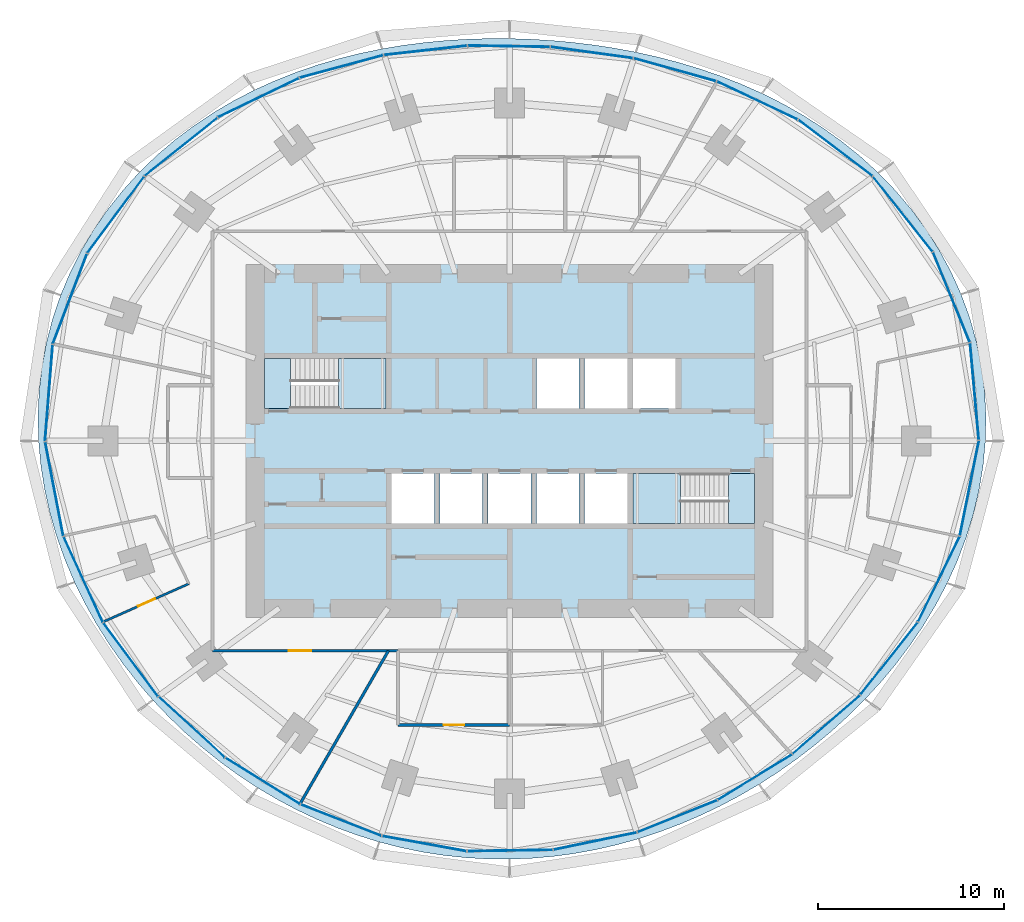
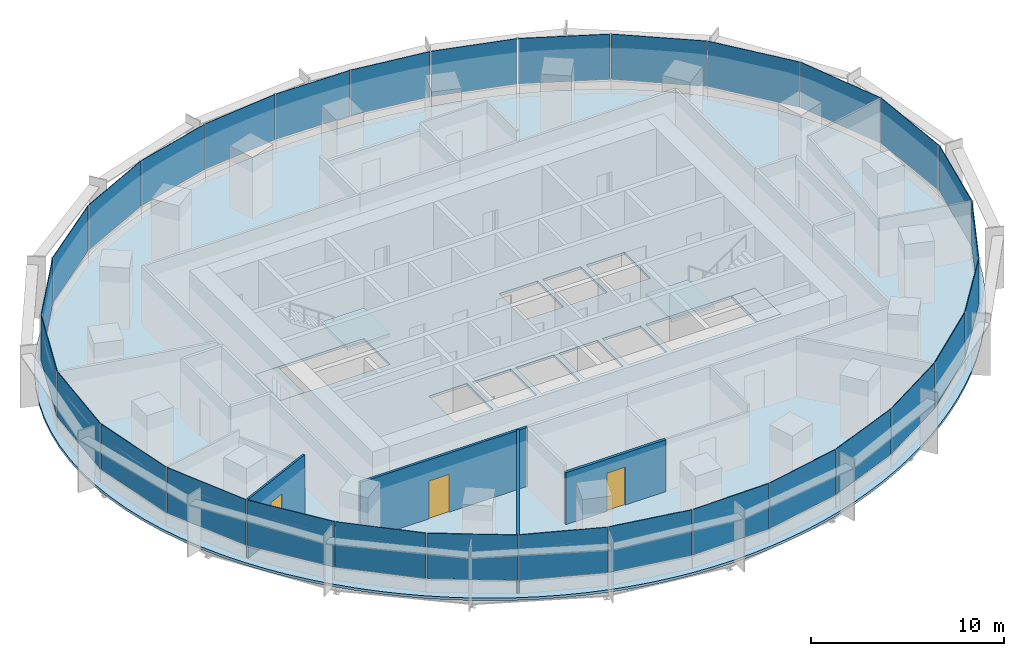
# One storey, part 9 of 14: 30 plates, 5 slabs, 4 walls, 3 doors, 3 openings, 8 elements without a shape of their own.
"""IFC4 building model written with IfcOpenShell, lengths in metres."""

from ifc_helpers import new_model, si_unit, direction, frame, frame_2d, origin, origin_2d, place, context, subcontext, project, spatial, polyline, rectangle, outline, extrude, material, layer, layer_set, type_object, element, fill, aggregate, save


model = new_model("IFC4")

# Units and contexts
model_context = context("Model", 3, precision=1e-05, world=origin(), true_north=direction((0.0, 1.0)))
body_context = subcontext(model_context, "Body", "Model", "MODEL_VIEW")
ifc_project = project(units=[si_unit("LENGTHUNIT", "METRE"), si_unit("AREAUNIT", "SQUARE_METRE"), si_unit("VOLUMEUNIT", "CUBIC_METRE"), si_unit("PLANEANGLEUNIT", "RADIAN"), si_unit("MASSUNIT", "GRAM", prefix="KILO")], contexts=[model_context])

# Site, building, storey
site_placement = place(None, origin())
site = spatial("IfcSite", under=ifc_project, at=site_placement, CompositionType="ELEMENT")
building_placement = place(site_placement, origin())
building = spatial("IfcBuilding", under=site, at=building_placement, Name="Marramba Exchange Tower", CompositionType="ELEMENT")
storey_placement = place(building_placement, frame((0.0, 0.0, 119.699951171875)))
storey = spatial("IfcBuildingStorey", under=building, at=storey_placement, Name="L28", CompositionType="ELEMENT", Elevation=119.699951171875)

# Slab
ifc_material_1 = material(Name="Concrete N40", Category="concrete")
ifc_layer_1 = layer(ifc_material_1, 0.159912109375)
ifc_layer_set_1 = layer_set([ifc_layer_1], Name="Composite floor slab 160")
slab_type_1 = type_object("IfcSlabType", Name="Composite floor slab 160", PredefinedType="FLOOR", material=ifc_layer_set_1)
slab_1_placement = place(storey_placement, frame((0.0, 0.0, -0.159912109375)))
element("IfcSlab", 1, at=slab_1_placement, inside=storey, type_object=slab_type_1, Name="Floor slab L28", PredefinedType="FLOOR", context=body_context, shape_type="SweptSolid", body=[
    extrude(outline(polyline([(25.632080078125, 0.0), (25.66064453125, 1.3447265625), (25.59033203125, 2.689697265625), (25.420166015625, 4.026123046875), (25.15087890625, 5.345947265625), (24.7841796875, 6.640869140625), (24.322998046875, 7.903076171875), (23.771484375, 9.125), (23.135009765625, 10.30029296875), (22.419677734375, 11.42333984375), (21.632080078125, 12.4892578125), (20.779541015625, 13.494384765625), (19.869384765625, 14.43603515625), (18.9091796875, 15.3125), (17.90625, 16.122802734375), (16.86767578125, 16.86767578125), (15.800048828125, 17.5478515625), (14.70947265625, 18.164794921875), (13.6015625, 18.720947265625), (12.48095703125, 19.218994140625), (11.3515625, 19.66162109375), (10.217041015625, 20.05224609375), (9.079833984375, 20.393798828125), (7.94189453125, 20.689453125), (6.804443359375, 20.942138671875), (5.668212890625, 21.154296875), (4.533447265625, 21.328369140625), (3.39990234375, 21.46630859375), (2.26708984375, 21.5693359375), (1.134033203125, 21.63818359375), (0.0, 21.673095703125), (-1.135986328125, 21.673828125), (-2.2744140625, 21.6396484375), (-3.416259765625, 21.5693359375), (-4.5615234375, 21.460693359375), (-5.71044921875, 21.31201171875), (-6.8623046875, 21.1201171875), (-8.01611328125, 20.8828125), (-9.170166015625, 20.5966796875), (-10.322509765625, 20.2587890625), (-11.4697265625, 19.8662109375), (-12.60888671875, 19.415771484375), (-13.7353515625, 18.905029296875), (-14.8447265625, 18.331787109375), (-15.931640625, 17.69384765625), (-16.989990234375, 16.989990234375), (-18.013916015625, 16.2197265625), (-18.996826171875, 15.38330078125), (-19.931884765625, 14.4814453125), (-20.8125, 13.515869140625), (-21.632080078125, 12.4892578125), (-22.384033203125, 11.4052734375), (-23.0625, 10.26806640625), (-23.661865234375, 9.0830078125), (-24.177734375, 7.855712890625), (-24.605712890625, 6.593017578125), (-24.943603515625, 5.302001953125), (-25.18896484375, 3.989501953125), (-25.341064453125, 2.663330078125), (-25.400390625, 1.3310546875), (-25.367919921875, 0.0), (-25.246337890625, -1.322998046875), (-25.038818359375, -2.631591796875), (-24.748779296875, -3.919921875), (-24.381103515625, -5.182373046875), (-23.940185546875, -6.414794921875), (-23.431396484375, -7.61328125), (-22.859130859375, -8.77490234375), (-22.22900390625, -9.89697265625), (-21.545166015625, -10.977783203125), (-20.81201171875, -12.015869140625), (-20.033935546875, -13.010009765625), (-19.2138671875, -13.959716796875), (-18.35546875, -14.86376953125), (-17.461181640625, -15.72216796875), (-16.53369140625, -16.53369140625), (-15.5751953125, -17.298095703125), (-14.587646484375, -18.014404296875), (-13.5732421875, -18.681884765625), (-12.533203125, -19.299560546875), (-11.4697265625, -19.8662109375), (-10.384765625, -20.381103515625), (-9.27978515625, -20.8427734375), (-8.157470703125, -21.250732421875), (-7.019287109375, -21.603271484375), (-5.8681640625, -21.900146484375), (-4.7060546875, -22.14013671875), (-3.53564453125, -22.322998046875), (-2.359375, -22.448486328125), (-1.179931640625, -22.516357421875), (0.0, -22.52685546875), (1.17822265625, -22.480712890625), (2.35205078125, -22.3779296875), (3.519287109375, -22.22021484375), (4.677978515625, -22.0078125), (5.825927734375, -21.742431640625), (6.96142578125, -21.425048828125), (8.0830078125, -21.05712890625), (9.189453125, -20.639892578125), (10.279296875, -20.17431640625), (11.3515625, -19.66162109375), (12.4052734375, -19.1025390625), (13.439453125, -18.497802734375), (14.45263671875, -17.847412109375), (15.44384765625, -17.152099609375), (16.411376953125, -16.411376953125), (17.353515625, -15.625244140625), (18.267822265625, -14.79296875), (19.1513671875, -13.914306640625), (20.000732421875, -12.98876953125), (20.81201171875, -12.015869140625), (21.580810546875, -10.995849609375), (22.301513671875, -9.92919921875), (22.96875, -8.81689453125), (23.57666015625, -7.660400390625), (24.11865234375, -6.462646484375), (24.588623046875, -5.2265625), (24.980224609375, -3.95654296875), (25.2880859375, -2.657958984375), (25.5068359375, -1.336669921875), (25.632080078125, 0.0)]), holes=[polyline([(1.449951171875, 1.75), (3.75, 1.75), (3.75, 4.449951171875), (1.449951171875, 4.449951171875), (1.449951171875, 1.75)]), polyline([(4.050048828125, 1.75), (6.35009765625, 1.75), (6.35009765625, 4.449951171875), (4.050048828125, 4.449951171875), (4.050048828125, 1.75)]), polyline([(-6.35009765625, -4.449951171875), (-4.050048828125, -4.449951171875), (-4.050048828125, -1.75), (-6.35009765625, -1.75), (-6.35009765625, -4.449951171875)]), polyline([(-3.75, -4.449951171875), (-1.449951171875, -4.449951171875), (-1.449951171875, -1.75), (-3.75, -1.75), (-3.75, -4.449951171875)]), polyline([(-1.14990234375, -4.449951171875), (1.14990234375, -4.449951171875), (1.14990234375, -1.75), (-1.14990234375, -1.75), (-1.14990234375, -4.449951171875)]), polyline([(1.449951171875, -4.449951171875), (3.75, -4.449951171875), (3.75, -1.75), (1.449951171875, -1.75), (1.449951171875, -4.449951171875)]), polyline([(4.050048828125, -4.449951171875), (6.35009765625, -4.449951171875), (6.35009765625, -1.75), (4.050048828125, -1.75), (4.050048828125, -4.449951171875)]), polyline([(6.64990234375, 1.75), (8.949951171875, 1.75), (8.949951171875, 4.449951171875), (6.64990234375, 4.449951171875), (6.64990234375, 1.75)]), polyline([(-13.199951171875, 1.75), (-6.64990234375, 1.75), (-6.64990234375, 4.449951171875), (-13.199951171875, 4.449951171875), (-13.199951171875, 1.75)]), polyline([(6.64990234375, -4.449951171875), (13.199951171875, -4.449951171875), (13.199951171875, -1.75), (6.64990234375, -1.75), (6.64990234375, -4.449951171875)])]), origin(), (0.0, 0.0, 1.0), 0.159912109375),
])

# Curtain wall, plates
ifc_material_2 = material(Name="Aluminium framing, bronze anodised", Category="aluminium")
curtain_wall_type = type_object("IfcCurtainWallType", Name="Office ribbon curtain wall", PredefinedType="USERDEFINED", material=ifc_material_2)
curtain_wall_1_placement = place(storey_placement, origin())
curtain_wall_1 = element("IfcCurtainWall", 2, at=curtain_wall_1_placement, inside=storey, type_object=curtain_wall_type, Name="Curtain wall CW4 L28 F01-F05", ObjectType="RIBBON CURTAIN WALL", PredefinedType="USERDEFINED")
ifc_material_3 = material(Name="Laminated double glazed unit 10.76 + 16 + 10.76, bronze tinted", Category="glass")
ifc_layer_2 = layer(ifc_material_3, 0.03759765625)
ifc_layer_set_2 = layer_set([ifc_layer_2], Name="Office ribbon curtain wall panel")
plate_type = type_object("IfcPlateType", Name="Office ribbon curtain wall panel", PredefinedType="CURTAIN_PANEL", material=ifc_layer_set_2)
plate_1_placement = place(storey_placement, frame((25.042724609375, 2.66650390625, 0.860107421875), z_axis=(0.0, 0.0, 1.0), x_axis=(-0.089412887889, 0.995994646311, 0.0)))
plate_1 = element("IfcPlate", 3, at=plate_1_placement, type_object=plate_type, Name="CW4 vision panel", PredefinedType="CURTAIN_PANEL", context=body_context, shape_type="SweptSolid", body=[
    extrude(rectangle(XDim=5.234375, YDim=0.03759765625, at=origin_2d()), origin(), (0.0, 0.0, 1.0), 2.8798828125),
])
plate_2_placement = place(storey_placement, frame((23.800537109375, 7.743408203125, 0.860107421875), z_axis=(0.0, 0.0, 1.0), x_axis=(-0.377821183171, 0.925878584668, 0.0)))
plate_2 = element("IfcPlate", 4, at=plate_2_placement, type_object=plate_type, Name="CW4 vision panel", PredefinedType="CURTAIN_PANEL", context=body_context, shape_type="SweptSolid", body=[
    extrude(rectangle(XDim=5.2158203125, YDim=0.03759765625, at=origin_2d()), origin(), (0.0, 0.0, 1.0), 2.8798828125),
])
plate_3_placement = place(storey_placement, frame((21.18212890625, 12.217529296875, 0.860107421875), z_axis=(0.0, 0.0, 1.0), x_axis=(-0.621312004611, 0.783563266703, 0.0)))
plate_3 = element("IfcPlate", 5, at=plate_3_placement, type_object=plate_type, Name="CW4 vision panel", PredefinedType="CURTAIN_PANEL", context=body_context, shape_type="SweptSolid", body=[
    extrude(rectangle(XDim=5.136962890625, YDim=0.03759765625, at=origin_2d()), origin(), (0.0, 0.0, 1.0), 2.8798828125),
])
plate_4_placement = place(storey_placement, frame((17.55224609375, 15.777099609375, 0.860107421875), z_axis=(0.0, 0.0, 1.0), x_axis=(-0.795971748366, 0.60533377223, 0.0)))
plate_4 = element("IfcPlate", 6, at=plate_4_placement, type_object=plate_type, Name="CW4 vision panel", PredefinedType="CURTAIN_PANEL", context=body_context, shape_type="SweptSolid", body=[
    extrude(rectangle(XDim=4.990966796875, YDim=0.03759765625, at=origin_2d()), origin(), (0.0, 0.0, 1.0), 2.8798828125),
])
plate_5_placement = place(storey_placement, frame((13.34423828125, 18.3359375, 0.860107421875), z_axis=(0.0, 0.0, 1.0), x_axis=(-0.904403137485, 0.426678995157, 0.0)))
plate_5 = element("IfcPlate", 7, at=plate_5_placement, type_object=plate_type, Name="CW4 vision panel", PredefinedType="CURTAIN_PANEL", context=body_context, shape_type="SweptSolid", body=[
    extrude(rectangle(XDim=4.793212890625, YDim=0.03759765625, at=origin_2d()), origin(), (0.0, 0.0, 1.0), 2.8798828125),
])
aggregate(curtain_wall_1, [plate_1, plate_2, plate_3, plate_4, plate_5])

curtain_wall_2_placement = place(storey_placement, origin())
curtain_wall_2 = element("IfcCurtainWall", 8, at=curtain_wall_2_placement, inside=storey, type_object=curtain_wall_type, Name="Curtain wall CW4 L28 F06-F10", ObjectType="RIBBON CURTAIN WALL", PredefinedType="USERDEFINED")
plate_6_placement = place(storey_placement, frame((8.907470703125, 19.991943359375, 0.860107421875), z_axis=(0.0, 0.0, 1.0), x_axis=(-0.963177845956, 0.268865090816, 0.0)))
plate_6 = element("IfcPlate", 9, at=plate_6_placement, type_object=plate_type, Name="CW4 vision panel", PredefinedType="CURTAIN_PANEL", context=body_context, shape_type="SweptSolid", body=[
    extrude(rectangle(XDim=4.591552734375, YDim=0.03759765625, at=origin_2d()), origin(), (0.0, 0.0, 1.0), 2.8798828125),
])
plate_7_placement = place(storey_placement, frame((4.43359375, 20.919189453125, 0.860107421875), z_axis=(0.0, 0.0, 1.0), x_axis=(-0.990738212841, 0.135785837319, 0.0)))
plate_7 = element("IfcPlate", 10, at=plate_7_placement, type_object=plate_type, Name="CW4 vision panel", PredefinedType="CURTAIN_PANEL", context=body_context, shape_type="SweptSolid", body=[
    extrude(rectangle(XDim=4.447509765625, YDim=0.03759765625, at=origin_2d()), origin(), (0.0, 0.0, 1.0), 2.8798828125),
])
plate_8_placement = place(storey_placement, frame((-0.03369140625, 21.2568359375, 0.860107421875), z_axis=(0.0, 0.0, 1.0), x_axis=(-0.999875869968, 0.01575578169, 0.0)))
plate_8 = element("IfcPlate", 11, at=plate_8_placement, type_object=plate_type, Name="CW4 vision panel", PredefinedType="CURTAIN_PANEL", context=body_context, shape_type="SweptSolid", body=[
    extrude(rectangle(XDim=4.408935546875, YDim=0.03759765625, at=origin_2d()), origin(), (0.0, 0.0, 1.0), 2.8798828125),
])
plate_9_placement = place(storey_placement, frame((-4.52587890625, 21.0361328125, 0.860107421875), z_axis=(0.0, 0.0, 1.0), x_axis=(-0.993823395532, -0.110973233233, 0.0)))
plate_9 = element("IfcPlate", 12, at=plate_9_placement, type_object=plate_type, Name="CW4 vision panel", PredefinedType="CURTAIN_PANEL", context=body_context, shape_type="SweptSolid", body=[
    extrude(rectangle(XDim=4.484375, YDim=0.03759765625, at=origin_2d()), origin(), (0.0, 0.0, 1.0), 2.8798828125),
])
plate_10_placement = place(storey_placement, frame((-9.053466796875, 20.16748046875, 0.860107421875), z_axis=(0.0, 0.0, 1.0), x_axis=(-0.965522047176, -0.260321294588, 0.0)))
plate_10 = element("IfcPlate", 13, at=plate_10_placement, type_object=plate_type, Name="CW4 vision panel", PredefinedType="CURTAIN_PANEL", context=body_context, shape_type="SweptSolid", body=[
    extrude(rectangle(XDim=4.642578125, YDim=0.03759765625, at=origin_2d()), origin(), (0.0, 0.0, 1.0), 2.8798828125),
])
aggregate(curtain_wall_2, [plate_6, plate_7, plate_8, plate_9, plate_10])

curtain_wall_3_placement = place(storey_placement, origin())
curtain_wall_3 = element("IfcCurtainWall", 14, at=curtain_wall_3_placement, inside=storey, type_object=curtain_wall_type, Name="Curtain wall CW4 L28 F11-F15", ObjectType="RIBBON CURTAIN WALL", PredefinedType="USERDEFINED")
plate_11_placement = place(storey_placement, frame((-13.52294921875, 18.4853515625, 0.860107421875), z_axis=(0.0, 0.0, 1.0), x_axis=(-0.900223739881, -0.435427626771, 0.0)))
plate_11 = element("IfcPlate", 15, at=plate_11_placement, type_object=plate_type, Name="CW4 vision panel", PredefinedType="CURTAIN_PANEL", context=body_context, shape_type="SweptSolid", body=[
    extrude(rectangle(XDim=4.83056640625, YDim=0.03759765625, at=origin_2d()), origin(), (0.0, 0.0, 1.0), 2.8798828125),
])
plate_12_placement = place(storey_placement, frame((-17.696533203125, 15.8359375, 0.860107421875), z_axis=(0.0, 0.0, 1.0), x_axis=(-0.78117833008, -0.624307950145, 0.0)))
plate_12 = element("IfcPlate", 16, at=plate_12_placement, type_object=plate_type, Name="CW4 vision panel", PredefinedType="CURTAIN_PANEL", context=body_context, shape_type="SweptSolid", body=[
    extrude(rectangle(XDim=4.998291015625, YDim=0.03759765625, at=origin_2d()), origin(), (0.0, 0.0, 1.0), 2.8798828125),
])
plate_13_placement = place(storey_placement, frame((-21.213623046875, 12.1767578125, 0.860107421875), z_axis=(0.0, 0.0, 1.0), x_axis=(-0.597703997504, -0.80171686484, 0.0)))
plate_13 = element("IfcPlate", 17, at=plate_13_placement, type_object=plate_type, Name="CW4 vision panel", PredefinedType="CURTAIN_PANEL", context=body_context, shape_type="SweptSolid", body=[
    extrude(rectangle(XDim=5.116455078125, YDim=0.03759765625, at=origin_2d()), origin(), (0.0, 0.0, 1.0), 2.8798828125),
])
plate_14_placement = place(storey_placement, frame((-23.6826171875, 7.6494140625, 0.860107421875), z_axis=(0.0, 0.0, 1.0), x_axis=(-0.354844468484, -0.934925346317, 0.0)))
plate_14 = element("IfcPlate", 18, at=plate_14_placement, type_object=plate_type, Name="CW4 vision panel", PredefinedType="CURTAIN_PANEL", context=body_context, shape_type="SweptSolid", body=[
    extrude(rectangle(XDim=5.177490234375, YDim=0.03759765625, at=origin_2d()), origin(), (0.0, 0.0, 1.0), 2.8798828125),
])
plate_15_placement = place(storey_placement, frame((-24.81201171875, 2.584716796875, 0.860107421875), z_axis=(0.0, 0.0, 1.0), x_axis=(-0.079459696383, -0.996838079455, 0.0)))
plate_15 = element("IfcPlate", 19, at=plate_15_placement, type_object=plate_type, Name="CW4 vision panel", PredefinedType="CURTAIN_PANEL", context=body_context, shape_type="SweptSolid", body=[
    extrude(rectangle(XDim=5.185791015625, YDim=0.03759765625, at=origin_2d()), origin(), (0.0, 0.0, 1.0), 2.8798828125),
])
aggregate(curtain_wall_3, [plate_11, plate_12, plate_13, plate_14, plate_15])

curtain_wall_4_placement = place(storey_placement, origin())
curtain_wall_4 = element("IfcCurtainWall", 20, at=curtain_wall_4_placement, inside=storey, type_object=curtain_wall_type, Name="Curtain wall CW4 L28 F16-F20", ObjectType="RIBBON CURTAIN WALL", PredefinedType="USERDEFINED")
plate_16_placement = place(storey_placement, frame((-24.522705078125, -2.584228515625, 0.860107421875), z_axis=(0.0, 0.0, 1.0), x_axis=(0.18822721487, -0.982125509078, 0.0)))
plate_16 = element("IfcPlate", 21, at=plate_16_placement, type_object=plate_type, Name="CW4 vision panel", PredefinedType="CURTAIN_PANEL", context=body_context, shape_type="SweptSolid", body=[
    extrude(rectangle(XDim=5.142578125, YDim=0.03759765625, at=origin_2d()), origin(), (0.0, 0.0, 1.0), 2.8798828125),
])
plate_17_placement = place(storey_placement, frame((-22.96142578125, -7.45947265625, 0.860107421875), z_axis=(0.0, 0.0, 1.0), x_axis=(0.416737848929, -0.909026713177, 0.0)))
plate_17 = element("IfcPlate", 22, at=plate_17_placement, type_object=plate_type, Name="CW4 vision panel", PredefinedType="CURTAIN_PANEL", context=body_context, shape_type="SweptSolid", body=[
    extrude(rectangle(XDim=5.0498046875, YDim=0.03759765625, at=origin_2d()), origin(), (0.0, 0.0, 1.0), 2.8798828125),
])
plate_18_placement = place(storey_placement, frame((-20.402099609375, -11.7783203125, 0.860107421875), z_axis=(0.0, 0.0, 1.0), x_axis=(0.597304697033, -0.802014400683, 0.0)))
plate_18 = element("IfcPlate", 23, at=plate_18_placement, type_object=plate_type, Name="CW4 vision panel", PredefinedType="CURTAIN_PANEL", context=body_context, shape_type="SweptSolid", body=[
    extrude(rectangle(XDim=4.926513671875, YDim=0.03759765625, at=origin_2d()), origin(), (0.0, 0.0, 1.0), 2.8798828125),
])
plate_19_placement = place(storey_placement, frame((-17.11376953125, -15.416259765625, 0.860107421875), z_axis=(0.0, 0.0, 1.0), x_axis=(0.737821886077, -0.674995455115, 0.0)))
plate_19 = element("IfcPlate", 24, at=plate_19_placement, type_object=plate_type, Name="CW4 vision panel", PredefinedType="CURTAIN_PANEL", context=body_context, shape_type="SweptSolid", body=[
    extrude(rectangle(XDim=4.80517578125, YDim=0.03759765625, at=origin_2d()), origin(), (0.0, 0.0, 1.0), 2.8798828125),
])
plate_20_placement = place(storey_placement, frame((-13.29248046875, -18.31640625, 0.860107421875), z_axis=(0.0, 0.0, 1.0), x_axis=(0.84835459748, -0.52942844364, 0.0)))
plate_20 = element("IfcPlate", 25, at=plate_20_placement, type_object=plate_type, Name="CW4 vision panel", PredefinedType="CURTAIN_PANEL", context=body_context, shape_type="SweptSolid", body=[
    extrude(rectangle(XDim=4.70947265625, YDim=0.03759765625, at=origin_2d()), origin(), (0.0, 0.0, 1.0), 2.8798828125),
])
aggregate(curtain_wall_4, [plate_16, plate_17, plate_18, plate_19, plate_20])

curtain_wall_5_placement = place(storey_placement, origin())
curtain_wall_5 = element("IfcCurtainWall", 26, at=curtain_wall_5_placement, inside=storey, type_object=curtain_wall_type, Name="Curtain wall CW4 L28 F21-F25", ObjectType="RIBBON CURTAIN WALL", PredefinedType="USERDEFINED")
plate_21_placement = place(storey_placement, frame((-9.074951171875, -20.427734375, 0.860107421875), z_axis=(0.0, 0.0, 1.0), x_axis=(0.931818390344, -0.36292490603, 0.0)))
plate_21 = element("IfcPlate", 27, at=plate_21_placement, type_object=plate_type, Name="CW4 vision panel", PredefinedType="CURTAIN_PANEL", context=body_context, shape_type="SweptSolid", body=[
    extrude(rectangle(XDim=4.644287109375, YDim=0.03759765625, at=origin_2d()), origin(), (0.0, 0.0, 1.0), 2.8798828125),
])
plate_22_placement = place(storey_placement, frame((-4.58740234375, -21.690673828125, 0.860107421875), z_axis=(0.0, 0.0, 1.0), x_axis=(0.984031865834, -0.177992379115, 0.0)))
plate_22 = element("IfcPlate", 28, at=plate_22_placement, type_object=plate_type, Name="CW4 vision panel", PredefinedType="CURTAIN_PANEL", context=body_context, shape_type="SweptSolid", body=[
    extrude(rectangle(XDim=4.602783203125, YDim=0.03759765625, at=origin_2d()), origin(), (0.0, 0.0, 1.0), 2.8798828125),
])
plate_23_placement = place(storey_placement, frame((0.0263671875, -22.064697265625, 0.860107421875), z_axis=(0.0, 0.0, 1.0), x_axis=(0.999884797709, 0.015178646521, 0.0)))
plate_23 = element("IfcPlate", 29, at=plate_23_placement, type_object=plate_type, Name="CW4 vision panel", PredefinedType="CURTAIN_PANEL", context=body_context, shape_type="SweptSolid", body=[
    extrude(rectangle(XDim=4.578857421875, YDim=0.03759765625, at=origin_2d()), origin(), (0.0, 0.0, 1.0), 2.8798828125),
])
plate_24_placement = place(storey_placement, frame((4.61376953125, -21.554931640625, 0.860107421875), z_axis=(0.0, 0.0, 1.0), x_axis=(0.979310199794, 0.202364850159, 0.0)))
plate_24 = element("IfcPlate", 30, at=plate_24_placement, type_object=plate_type, Name="CW4 vision panel", PredefinedType="CURTAIN_PANEL", context=body_context, shape_type="SweptSolid", body=[
    extrude(rectangle(XDim=4.57373046875, YDim=0.03759765625, at=origin_2d()), origin(), (0.0, 0.0, 1.0), 2.8798828125),
])
plate_25_placement = place(storey_placement, frame((9.042724609375, -20.214111328125, 0.860107421875), z_axis=(0.0, 0.0, 1.0), x_axis=(0.928148916059, 0.372209067082, 0.0)))
plate_25 = element("IfcPlate", 31, at=plate_25_placement, type_object=plate_type, Name="CW4 vision panel", PredefinedType="CURTAIN_PANEL", context=body_context, shape_type="SweptSolid", body=[
    extrude(rectangle(XDim=4.59814453125, YDim=0.03759765625, at=origin_2d()), origin(), (0.0, 0.0, 1.0), 2.8798828125),
])
aggregate(curtain_wall_5, [plate_21, plate_22, plate_23, plate_24, plate_25])

curtain_wall_6_placement = place(storey_placement, origin())
curtain_wall_6 = element("IfcCurtainWall", 32, at=curtain_wall_6_placement, inside=storey, type_object=curtain_wall_type, Name="Curtain wall CW4 L28 F26-F30", ObjectType="RIBBON CURTAIN WALL", PredefinedType="USERDEFINED")
plate_26_placement = place(storey_placement, frame((13.21875, -18.109619140625, 0.860107421875), z_axis=(0.0, 0.0, 1.0), x_axis=(0.853109114492, 0.521732535664, 0.0)))
plate_26 = element("IfcPlate", 33, at=plate_26_placement, type_object=plate_type, Name="CW4 vision panel", PredefinedType="CURTAIN_PANEL", context=body_context, shape_type="SweptSolid", body=[
    extrude(rectangle(XDim=4.66748046875, YDim=0.03759765625, at=origin_2d()), origin(), (0.0, 0.0, 1.0), 2.8798828125),
])
plate_27_placement = place(storey_placement, frame((17.0615234375, -15.280517578125, 0.860107421875), z_axis=(0.0, 0.0, 1.0), x_axis=(0.754385506384, 0.656431647438, 0.0)))
plate_27 = element("IfcPlate", 34, at=plate_27_placement, type_object=plate_type, Name="CW4 vision panel", PredefinedType="CURTAIN_PANEL", context=body_context, shape_type="SweptSolid", body=[
    extrude(rectangle(XDim=4.789794921875, YDim=0.03759765625, at=origin_2d()), origin(), (0.0, 0.0, 1.0), 2.8798828125),
])
plate_28_placement = place(storey_placement, frame((20.443603515625, -11.724365234375, 0.860107421875), z_axis=(0.0, 0.0, 1.0), x_axis=(0.621807472329, 0.783170139469, 0.0)))
plate_28 = element("IfcPlate", 35, at=plate_28_placement, type_object=plate_type, Name="CW4 vision panel", PredefinedType="CURTAIN_PANEL", context=body_context, shape_type="SweptSolid", body=[
    extrude(rectangle(XDim=4.947265625, YDim=0.03759765625, at=origin_2d()), origin(), (0.0, 0.0, 1.0), 2.8798828125),
])
plate_29_placement = place(storey_placement, frame((23.127197265625, -7.443359375, 0.860107421875), z_axis=(0.0, 0.0, 1.0), x_axis=(0.439086342308, 0.89844486976, 0.0)))
plate_29 = element("IfcPlate", 36, at=plate_29_placement, type_object=plate_type, Name="CW4 vision panel", PredefinedType="CURTAIN_PANEL", context=body_context, shape_type="SweptSolid", body=[
    extrude(rectangle(XDim=5.096923828125, YDim=0.03759765625, at=origin_2d()), origin(), (0.0, 0.0, 1.0), 2.8798828125),
])
plate_30_placement = place(storey_placement, frame((24.77001953125, -2.54736328125, 0.860107421875), z_axis=(0.0, 0.0, 1.0), x_axis=(0.197048511267, 0.980393739376, 0.0)))
plate_30 = element("IfcPlate", 37, at=plate_30_placement, type_object=plate_type, Name="CW4 vision panel", PredefinedType="CURTAIN_PANEL", context=body_context, shape_type="SweptSolid", body=[
    extrude(rectangle(XDim=5.19677734375, YDim=0.03759765625, at=origin_2d()), origin(), (0.0, 0.0, 1.0), 2.8798828125),
])
aggregate(curtain_wall_6, [plate_26, plate_27, plate_28, plate_29, plate_30])

# Stair, slabs
ifc_material_4 = material(Name="Concrete N40 (40 MPa)", Category="concrete")
stair_type_1 = type_object("IfcStairType", Name="Exit stair ST1 3900 x 1250", PredefinedType="HALF_TURN_STAIR", material=ifc_material_4)
stair_1_placement = place(storey_placement, origin())
stair_1 = element("IfcStair", 38, at=stair_1_placement, inside=storey, type_object=stair_type_1, Name="Exit stair ST1 L28", PredefinedType="HALF_TURN_STAIR")
ifc_layer_3 = layer(ifc_material_4, 0.199951171875)
ifc_layer_set_3 = layer_set([ifc_layer_3], Name="Stair landing 200")
slab_type_2 = type_object("IfcSlabType", Name="Stair landing 200", PredefinedType="LANDING", material=ifc_layer_set_3)
slab_2_placement = place(storey_placement, frame((0.0, 0.0, -0.199951171875)))
slab_2 = element("IfcSlab", 39, at=slab_2_placement, type_object=slab_type_2, Name="ST1 landing 1", PredefinedType="LANDING", context=body_context, shape_type="SweptSolid", body=[
    extrude(outline(polyline([(-13.199951171875, 1.75), (-11.800048828125, 1.75), (-11.800048828125, 4.449951171875), (-13.199951171875, 4.449951171875), (-13.199951171875, 1.75)])), origin(), (0.0, 0.0, 1.0), 0.199951171875),
])
slab_3_placement = place(storey_placement, frame((0.0, 0.0, 1.75)))
slab_3 = element("IfcSlab", 40, at=slab_3_placement, type_object=slab_type_2, Name="ST1 landing 2", PredefinedType="LANDING", context=body_context, shape_type="SweptSolid", body=[
    extrude(outline(polyline([(-9.199951171875, 1.75), (-6.64990234375, 1.75), (-6.64990234375, 4.449951171875), (-9.199951171875, 4.449951171875), (-9.199951171875, 1.75)])), origin(), (0.0, 0.0, 1.0), 0.199951171875),
])
aggregate(stair_1, [slab_2, slab_3])

stair_type_2 = type_object("IfcStairType", Name="Exit stair ST2 3900 x 1250", PredefinedType="HALF_TURN_STAIR", material=ifc_material_4)
stair_2_placement = place(storey_placement, origin())
stair_2 = element("IfcStair", 41, at=stair_2_placement, inside=storey, type_object=stair_type_2, Name="Exit stair ST2 L28", PredefinedType="HALF_TURN_STAIR")
slab_4_placement = place(storey_placement, frame((0.0, 0.0, -0.199951171875)))
slab_4 = element("IfcSlab", 42, at=slab_4_placement, type_object=slab_type_2, Name="ST2 landing 1", PredefinedType="LANDING", context=body_context, shape_type="SweptSolid", body=[
    extrude(outline(polyline([(11.800048828125, -4.449951171875), (13.199951171875, -4.449951171875), (13.199951171875, -1.75), (11.800048828125, -1.75), (11.800048828125, -4.449951171875)])), origin(), (0.0, 0.0, 1.0), 0.199951171875),
])
slab_5_placement = place(storey_placement, frame((0.0, 0.0, 1.75)))
slab_5 = element("IfcSlab", 43, at=slab_5_placement, type_object=slab_type_2, Name="ST2 landing 2", PredefinedType="LANDING", context=body_context, shape_type="SweptSolid", body=[
    extrude(outline(polyline([(6.64990234375, -4.449951171875), (9.199951171875, -4.449951171875), (9.199951171875, -1.75), (6.64990234375, -1.75), (6.64990234375, -4.449951171875)])), origin(), (0.0, 0.0, 1.0), 0.199951171875),
])
aggregate(stair_2, [slab_4, slab_5])

# Wall, opening, door
ifc_material_5 = material(Name="Plasterboard on staggered double steel studs, acoustic insulation", Category="steel")
ifc_layer_4 = layer(ifc_material_5, 0.169921875)
ifc_layer_set_4 = layer_set([ifc_layer_4], Name="Acoustic partition 170")
wall_type_1 = type_object("IfcWallType", Name="Acoustic partition 170", PredefinedType="PARTITIONING", material=ifc_layer_set_4)
wall_1_placement = place(storey_placement, frame((-6.0, -15.300048828125, 0.0), z_axis=(0.0, 0.0, 1.0), x_axis=(1.0, 0.0, 0.0)))
wall_1 = element("IfcWall", 44, at=wall_1_placement, inside=storey, type_object=wall_type_1, Name="Acoustic partition L28 10", PredefinedType="PARTITIONING", context=body_context, shape_type="SweptSolid", body=[
    extrude(rectangle(XDim=6.0, YDim=0.169921875, at=frame_2d((3.0, 0.0))), origin(), (0.0, 0.0, 1.0), 3.2861328125),
])
opening_1_placement = place(wall_1_placement, frame((2.449951171875, 0.0, 0.0)))
opening_1 = element("IfcOpeningElement", 45, at=opening_1_placement, cuts=wall_1, Name="Opening D15", PredefinedType="OPENING", context=body_context, shape_type="SweptSolid", body=[
    extrude(rectangle(XDim=1.10009765625, YDim=2.39990234375, at=frame_2d((0.550048828125, 1.199951171875))), frame((0.0, 0.094970703125, 0.0), z_axis=(0.0, -1.0, 0.0), x_axis=(1.0, 0.0, 0.0)), (0.0, 0.0, 1.0), 0.18994140625),
])
ifc_material_6 = material(Name="Timber door", Category="wood")
door_type_1 = type_object("IfcDoorType", Name="Glazed meeting room door 1100x2400", OperationType="SINGLE_SWING_LEFT", PredefinedType="DOOR", material=ifc_material_6)
door_1_placement = place(opening_1_placement, origin())
door_1 = element("IfcDoor", 46, at=door_1_placement, inside=storey, type_object=door_type_1, Name="D15 Meeting Room 4 L28", OperationType="SINGLE_SWING_RIGHT", OverallHeight=2.39990234375, OverallWidth=1.10009765625, PredefinedType="DOOR", context=body_context, shape_type="SweptSolid", body=[
    extrude(rectangle(XDim=1.10009765625, YDim=2.39990234375, at=frame_2d((0.550048828125, 1.199951171875))), frame((0.0, 0.02490234375, 0.0), z_axis=(0.0, -1.0, 0.0), x_axis=(1.0, 0.0, 0.0)), (0.0, 0.0, 1.0), 0.050048828125),
])
fill(opening_1, door_1)

ifc_material_7 = material(Name="Plasterboard on steel studs", Category="steel")
ifc_layer_5 = layer(ifc_material_7, 0.1201171875)
ifc_layer_set_5 = layer_set([ifc_layer_5], Name="Partition 120")
wall_type_2 = type_object("IfcWallType", Name="Partition 120", PredefinedType="PARTITIONING", material=ifc_layer_set_5)
wall_2_placement = place(storey_placement, frame((-21.836181640625, -9.72216796875, 0.0), z_axis=(0.0, 0.0, 1.0), x_axis=(0.913549606868, 0.406727323635, 0.0)))
wall_2 = element("IfcWall", 47, at=wall_2_placement, inside=storey, type_object=wall_type_2, Name="Partition L28 05", PredefinedType="PARTITIONING", context=body_context, shape_type="SweptSolid", body=[
    extrude(rectangle(XDim=5.000244140625, YDim=0.1201171875, at=frame_2d((2.5, 0.0))), origin(), (0.0, 0.0, 1.0), 3.739990234375),
])
opening_2_placement = place(wall_2_placement, frame((2.0, 0.0, 0.0)))
opening_2 = element("IfcOpeningElement", 48, at=opening_2_placement, cuts=wall_2, Name="Opening D9", PredefinedType="OPENING", context=body_context, shape_type="SweptSolid", body=[
    extrude(rectangle(XDim=1.0, YDim=2.39990234375, at=frame_2d((0.5, 1.199951171875))), frame((0.0, 0.070068359375, 0.0), z_axis=(0.0, -1.0, 0.0), x_axis=(1.0, 0.0, 0.0)), (0.0, 0.0, 1.0), 0.14013671875),
])
door_type_2 = type_object("IfcDoorType", Name="Room door 1000x2400", OperationType="SINGLE_SWING_LEFT", PredefinedType="DOOR", material=ifc_material_6)
door_2_placement = place(opening_2_placement, origin())
door_2 = element("IfcDoor", 49, at=door_2_placement, inside=storey, type_object=door_type_2, Name="D9 Office 2 L28", OperationType="SINGLE_SWING_RIGHT", OverallHeight=2.39990234375, OverallWidth=1.0, PredefinedType="DOOR", context=body_context, shape_type="SweptSolid", body=[
    extrude(rectangle(XDim=1.0, YDim=2.39990234375, at=frame_2d((0.5, 1.199951171875))), frame((0.0, 0.02490234375, 0.0), z_axis=(0.0, -1.0, 0.0), x_axis=(1.0, 0.0, 0.0)), (0.0, 0.0, 1.0), 0.050048828125),
])
fill(opening_2, door_2)

ifc_material_8 = material(Name="Fire-rated plasterboard on steel studs, acoustic insulation", Category="steel")
ifc_layer_6 = layer(ifc_material_8, 0.14990234375)
ifc_layer_set_6 = layer_set([ifc_layer_6], Name="Tenancy wall 150")
wall_type_3 = type_object("IfcWallType", Name="Tenancy wall 150", PredefinedType="PARTITIONING", material=ifc_layer_set_6)
wall_3_placement = place(storey_placement, frame((-16.0, -11.300048828125, 0.0), z_axis=(0.0, 0.0, 1.0), x_axis=(1.0, 0.0, 0.0)))
wall_3 = element("IfcWall", 50, at=wall_3_placement, inside=storey, type_object=wall_type_3, Name="Tenancy wall L28 06", PredefinedType="PARTITIONING", context=body_context, shape_type="SweptSolid", body=[
    extrude(rectangle(XDim=10.0, YDim=0.14990234375, at=frame_2d((5.0, 0.0))), origin(), (0.0, 0.0, 1.0), 3.739990234375),
])
opening_3_placement = place(wall_3_placement, frame((4.113037109375, 0.0, 0.0)))
opening_3 = element("IfcOpeningElement", 51, at=opening_3_placement, cuts=wall_3, Name="Opening D13", PredefinedType="OPENING", context=body_context, shape_type="SweptSolid", body=[
    extrude(rectangle(XDim=1.199951171875, YDim=2.39990234375, at=frame_2d((0.60009765625, 1.199951171875))), frame((0.0, 0.0849609375, 0.0), z_axis=(0.0, -1.0, 0.0), x_axis=(1.0, 0.0, 0.0)), (0.0, 0.0, 1.0), 0.169921875),
])
ifc_material_9 = material(Name="Steel-framed door", Category="steel")
door_type_3 = type_object("IfcDoorType", Name="Tenancy entry door 1200x2400", OperationType="SINGLE_SWING_LEFT", PredefinedType="DOOR", material=ifc_material_9)
door_3_placement = place(opening_3_placement, origin())
door_3 = element("IfcDoor", 52, at=door_3_placement, inside=storey, type_object=door_type_3, Name="D13 Office 3 L28", OperationType="SINGLE_SWING_LEFT", OverallHeight=2.39990234375, OverallWidth=1.199951171875, PredefinedType="DOOR", context=body_context, shape_type="SweptSolid", body=[
    extrude(rectangle(XDim=1.199951171875, YDim=2.39990234375, at=frame_2d((0.60009765625, 1.199951171875))), frame((0.0, 0.02490234375, 0.0), z_axis=(0.0, -1.0, 0.0), x_axis=(1.0, 0.0, 0.0)), (0.0, 0.0, 1.0), 0.050048828125),
])
fill(opening_3, door_3)

# Wall
wall_4_placement = place(storey_placement, frame((-6.524169921875, -11.300048828125, 0.0), z_axis=(0.0, 0.0, 1.0), x_axis=(-0.499999424553, -0.866025736019, 0.0)))
element("IfcWall", 53, at=wall_4_placement, inside=storey, type_object=wall_type_3, Name="Tenancy wall L28 07", PredefinedType="PARTITIONING", context=body_context, shape_type="SweptSolid", body=[
    extrude(rectangle(XDim=9.46142578125, YDim=0.14990234375, at=frame_2d((4.730712890625, 0.0))), origin(), (0.0, 0.0, 1.0), 3.739990234375),
])

save(model, "model.ifc")
